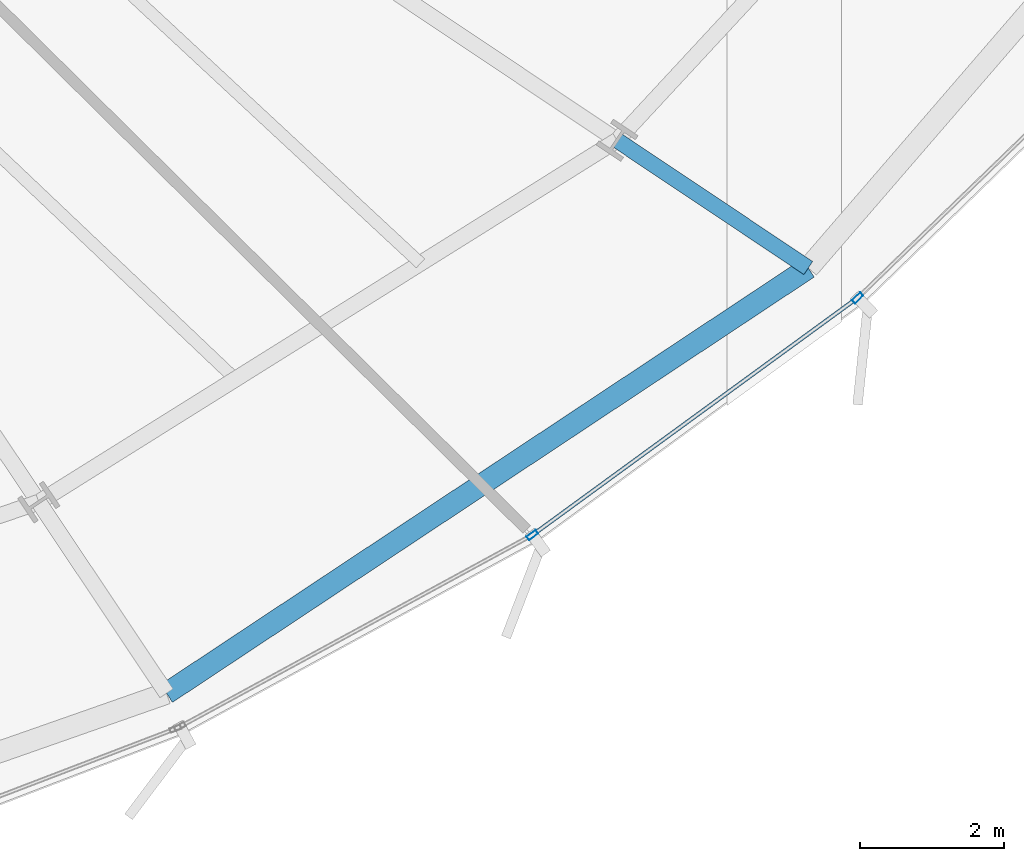
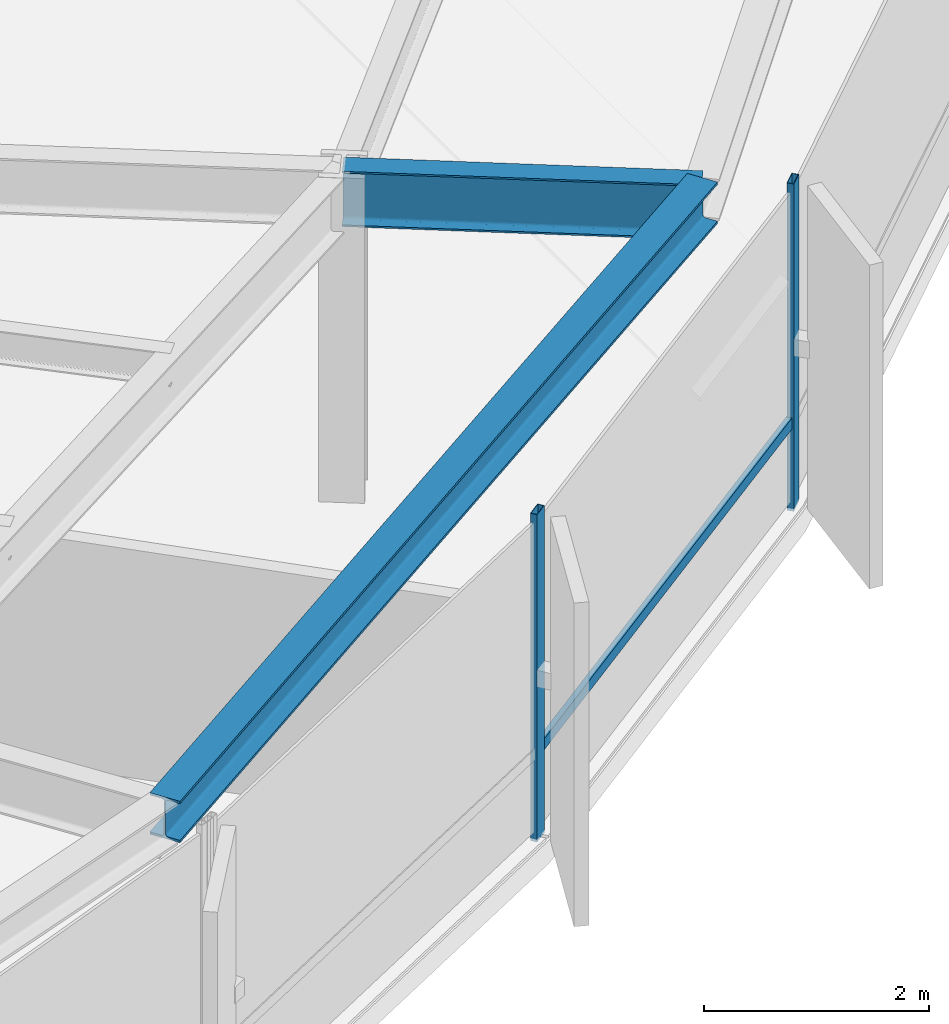
# One storey, part 12 of 38: 3 members, 2 beams, 1 element without a shape of its own.
"""IFC4 building model written with IfcOpenShell, lengths in metres."""

from ifc_helpers import new_model, si_unit, direction, frame, origin, origin_2d, place, context, subcontext, project, spatial, hollow_rectangle, i_section, extrude, source, transform, mapped, material, layer, layer_set, material_profile, profile_set, type_object, element, aggregate, save


model = new_model("IFC4")

# Units and contexts
model_context = context("Model", 3, precision=1e-05, world=origin(), true_north=direction((0.0, 1.0)))
body_context = subcontext(model_context, "Body", "Model", "MODEL_VIEW")
ifc_project = project(units=[si_unit("LENGTHUNIT", "METRE"), si_unit("AREAUNIT", "SQUARE_METRE"), si_unit("VOLUMEUNIT", "CUBIC_METRE"), si_unit("PLANEANGLEUNIT", "RADIAN"), si_unit("MASSUNIT", "GRAM", prefix="KILO"), si_unit("THERMODYNAMICTEMPERATUREUNIT", "KELVIN")], contexts=[model_context])

# Site, building, storey
site_placement = place(None, origin())
site = spatial("IfcSite", under=ifc_project, at=site_placement, CompositionType="ELEMENT")
building_placement = place(site_placement, origin())
building = spatial("IfcBuilding", under=site, at=building_placement, Name="Kethvar Cultural Tower", CompositionType="ELEMENT")
storey_placement = place(building_placement, frame((0.0, 0.0, 67.60009765625)))
storey = spatial("IfcBuildingStorey", under=building, at=storey_placement, Name="L16", CompositionType="ELEMENT", Elevation=67.60009765625)

# Beams
ifc_material_1 = material(Name="Steel S355J2", Category="steel")
ifc_material_profile_1 = material_profile(ifc_material_1, i_section(OverallWidth=0.219970703125, OverallDepth=0.60009765625, WebThickness=0.011962890625, FlangeThickness=0.01904296875, FilletRadius=0.02392578125, at=origin_2d()), Name="Steel S355J2 — IPE600")
ifc_profile_set_1 = profile_set([ifc_material_profile_1], Name="Steel S355J2 — IPE600")
beam_type_1 = type_object("IfcBeamType", Name="BM-IPE600", PredefinedType="BEAM", material=ifc_profile_set_1)
shared_shape_1 = source(origin(), body_context, "Body", "SweptSolid", [
    extrude(i_section(OverallWidth=0.219970703125, OverallDepth=0.60009765625, WebThickness=0.011962890625, FlangeThickness=0.01904296875, FilletRadius=0.02392578125, at=origin_2d()), origin(), (0.0, 0.0, 1.0), 3.19970703125),
])
beam_1_placement = place(storey_placement, frame((67.41845703125, 14.023193359375, 3.247802734375), z_axis=(0.831498187863, -0.55552746429, 0.0), x_axis=(0.55552746429, 0.831498187863, 0.0)))
element("IfcBeam", 1, at=beam_1_placement, inside=storey, type_object=beam_type_1, Name="L16 Perimeter Cantilever Beam RC-15", PredefinedType="BEAM", context=body_context, shape_type="MappedRepresentation", body=[
    mapped(shared_shape_1, transform((0.0, 0.0, 0.0), scale=1.0)),
])
ifc_material_profile_2 = material_profile(ifc_material_1, i_section(OverallWidth=0.300048828125, OverallDepth=0.449951171875, WebThickness=0.013916015625, FlangeThickness=0.02587890625, FilletRadius=0.027099609375, at=origin_2d()), Name="Steel S355J2 — HEB450")
ifc_profile_set_2 = profile_set([ifc_material_profile_2], Name="Steel S355J2 — HEB450")
beam_type_2 = type_object("IfcBeamType", Name="BM-SP450", PredefinedType="SPANDREL", material=ifc_profile_set_2)
shared_shape_2 = source(origin(), body_context, "Body", "SweptSolid", [
    extrude(i_section(OverallWidth=0.300048828125, OverallDepth=0.449951171875, WebThickness=0.013916015625, FlangeThickness=0.02587890625, FilletRadius=0.027099609375, at=origin_2d()), origin(), (0.0, 0.0, 1.0), 10.71435546875),
])
beam_2_placement = place(storey_placement, frame((61.148193359375, 6.326416015625, 3.322998046875), z_axis=(0.833544146731, 0.552452853599, 0.0), x_axis=(-0.552452853599, 0.833544146731, 0.0)))
element("IfcBeam", 2, at=beam_2_placement, inside=storey, type_object=beam_type_2, Name="L16 Perimeter Spandrel Beam SP-14", PredefinedType="SPANDREL", context=body_context, shape_type="MappedRepresentation", body=[
    mapped(shared_shape_2, transform((0.0, 0.0, 0.0), scale=1.0)),
])

# Curtain wall, members
ifc_material_2 = material(Name="Aluminium 6063-T6", Category="aluminium")
ifc_layer = layer(ifc_material_2, 0.179931640625, Name="Aluminium 6063-T6", Category="aluminium")
ifc_layer_set = layer_set([ifc_layer], Name="Aluminium 6063-T6 (180 mm)")
curtain_wall_type = type_object("IfcCurtainWallType", Name="CW-SYS-02-Z1", PredefinedType="NOTDEFINED", material=ifc_layer_set)
curtain_wall_placement = place(storey_placement, origin())
curtain_wall = element("IfcCurtainWall", 3, at=curtain_wall_placement, inside=storey, type_object=curtain_wall_type, Name="L16 Curtain Wall Run 06", PredefinedType="NOTDEFINED")
ifc_material_profile_3 = material_profile(ifc_material_2, hollow_rectangle(XDim=0.06494140625, YDim=0.159912109375, WallThickness=0.0048828125, at=origin_2d()), Name="Aluminium 6063-T6 — RHS160x65x5")
ifc_profile_set_3 = profile_set([ifc_material_profile_3], Name="Aluminium 6063-T6 — RHS160x65x5")
member_type_1 = type_object("IfcMemberType", Name="CW-SYS-02-Z1-MUL", PredefinedType="MULLION", material=ifc_profile_set_3)
shared_shape_3 = source(origin(), body_context, "Body", "SweptSolid", [
    extrude(hollow_rectangle(XDim=0.06494140625, YDim=0.159912109375, WallThickness=0.0048828125, at=origin_2d()), origin(), (0.0, 0.0, 1.0), 3.5498046875),
])
member_1_placement = place(storey_placement, frame((66.239501953125, 8.529541015625, 0.0), z_axis=(0.0, 0.0, 1.0), x_axis=(-0.589351469416, 0.807876751428, 0.0)))
member_1 = element("IfcMember", 4, at=member_1_placement, type_object=member_type_1, Name="CW-L16-R06 Mullion 2", PredefinedType="MULLION", context=body_context, shape_type="MappedRepresentation", body=[
    mapped(shared_shape_3, transform((0.0, 0.0, 0.0), scale=1.0)),
])
member_2_placement = place(storey_placement, frame((70.766357421875, 11.83056640625, 0.0), z_axis=(0.0, 0.0, 1.0), x_axis=(-0.696113308149, 0.717931934252, 0.0)))
member_2 = element("IfcMember", 5, at=member_2_placement, type_object=member_type_1, Name="CW-L16-R06 Mullion 3", PredefinedType="MULLION", context=body_context, shape_type="MappedRepresentation", body=[
    mapped(shared_shape_3, transform((0.0, 0.0, 0.0), scale=1.0)),
])
ifc_material_profile_4 = material_profile(ifc_material_2, hollow_rectangle(XDim=0.054931640625, YDim=0.1201171875, WallThickness=0.00390625, at=origin_2d()), Name="Aluminium 6063-T6 — RHS120x55x4")
ifc_profile_set_4 = profile_set([ifc_material_profile_4], Name="Aluminium 6063-T6 — RHS120x55x4")
member_type_2 = type_object("IfcMemberType", Name="CW-SYS-02-Z1-TRN", PredefinedType="USERDEFINED", material=ifc_profile_set_4)
shared_shape_4 = source(origin(), body_context, "Body", "SweptSolid", [
    extrude(hollow_rectangle(XDim=0.054931640625, YDim=0.1201171875, WallThickness=0.00390625, at=origin_2d()), origin(), (0.0, 0.0, 1.0), 5.525634765625),
])
member_3_placement = place(storey_placement, frame((66.27734375, 8.55712890625, 0.949951171875), z_axis=(0.807862019835, 0.589371662797, 0.0), x_axis=(-0.589371662797, 0.807862019835, 0.0)))
member_3 = element("IfcMember", 6, at=member_3_placement, type_object=member_type_2, Name="CW-L16-R06 Transom 2", ObjectType="TRANSOM", PredefinedType="USERDEFINED", context=body_context, shape_type="MappedRepresentation", body=[
    mapped(shared_shape_4, transform((0.0, 0.0, 0.0), scale=1.0)),
])
aggregate(curtain_wall, [member_1, member_2, member_3])

save(model, "model.ifc")
